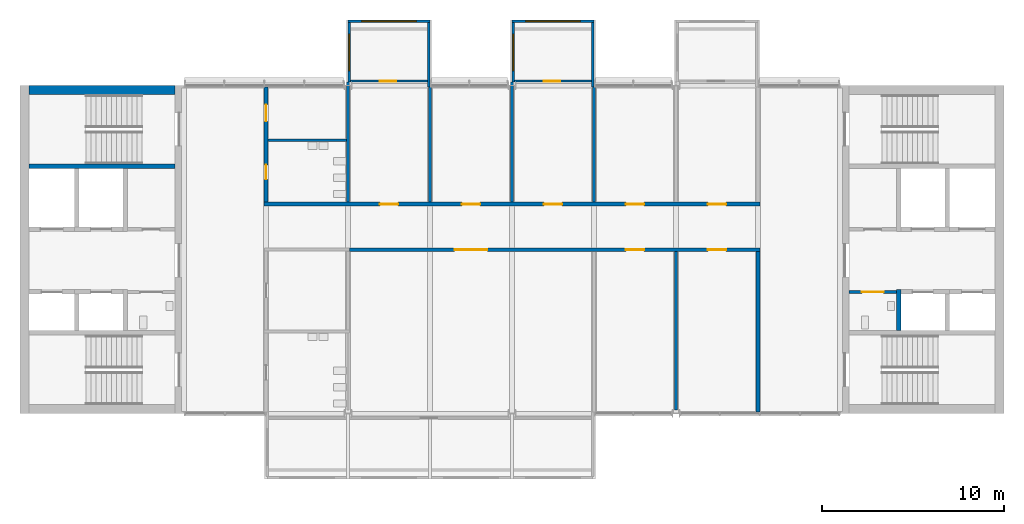
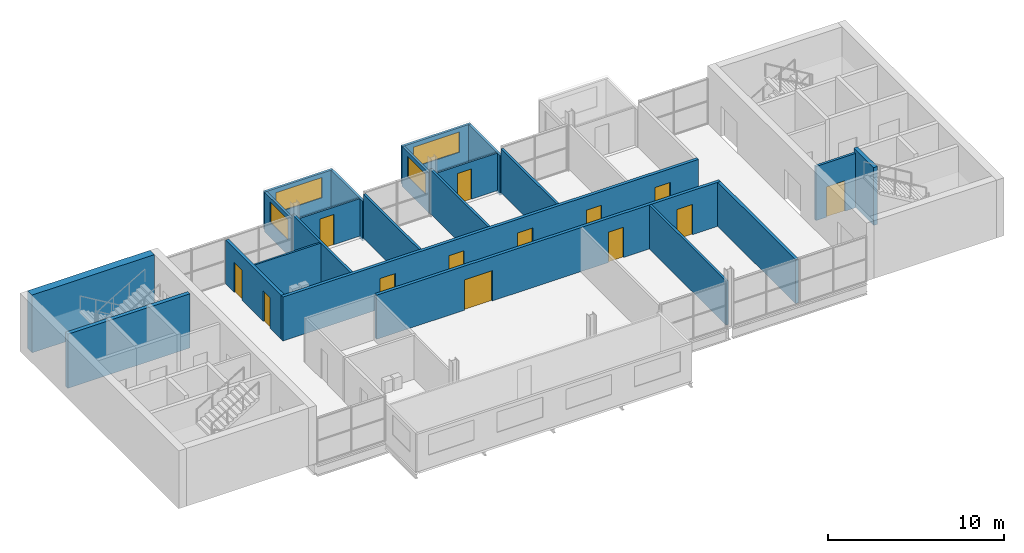
# One storey, part 6 of 11: 22 walls, 13 doors, 4 windows, 17 openings.
"""IFC4 building model written with IfcOpenShell, lengths in metres."""

from ifc_helpers import new_model, si_unit, direction, frame, frame_2d, origin, place, context, subcontext, project, spatial, rectangle, extrude, material, layer, layer_set, type_object, element, fill, save


model = new_model("IFC4")

# Units and contexts
model_context = context("Model", 3, precision=1e-05, world=origin(), true_north=direction((0.0, 1.0)))
body_context = subcontext(model_context, "Body", "Model", "MODEL_VIEW")
ifc_project = project(units=[si_unit("LENGTHUNIT", "METRE"), si_unit("AREAUNIT", "SQUARE_METRE"), si_unit("VOLUMEUNIT", "CUBIC_METRE"), si_unit("PLANEANGLEUNIT", "RADIAN"), si_unit("MASSUNIT", "GRAM", prefix="KILO")], contexts=[model_context])

# Site, building, storey
site_placement = place(None, origin())
site = spatial("IfcSite", under=ifc_project, at=site_placement, CompositionType="ELEMENT")
building_placement = place(site_placement, origin())
building = spatial("IfcBuilding", under=site, at=building_placement, Name="Corbel Yard City Hall", CompositionType="ELEMENT")
storey_placement = place(building_placement, frame((0.0, 0.0, 35.199951171875)))
storey = spatial("IfcBuildingStorey", under=building, at=storey_placement, Name="L08", CompositionType="ELEMENT", Elevation=35.199951171875)

# Walls
ifc_material_1 = material(Name="Concrete N40 (40 MPa)", Category="concrete")
ifc_layer_1 = layer(ifc_material_1, 0.25)
ifc_layer_set_1 = layer_set([ifc_layer_1], Name="Concrete N40 (40 MPa)")
wall_type_1 = type_object("IfcWallType", Name="IW2", PredefinedType="SOLIDWALL", material=ifc_layer_set_1)
wall_1_placement = place(storey_placement, frame((8.5, 112.574951171875, 0.0), z_axis=(0.0, 0.0, 1.0), x_axis=(-1.0, 0.0, 0.0)))
element("IfcWall", 1, at=wall_1_placement, inside=storey, type_object=wall_type_1, Name="Stair enclosure wall", PredefinedType="SOLIDWALL", context=body_context, shape_type="SweptSolid", body=[
    extrude(rectangle(XDim=8.0, YDim=0.25, at=frame_2d((4.0, 0.0))), origin(), (0.0, 0.0, 1.0), 3.75),
])
wall_2_placement = place(storey_placement, frame((48.22509765625, 103.550048828125, 0.0), z_axis=(0.0, 0.0, 1.0), x_axis=(0.0, 1.0, 0.0)))
element("IfcWall", 2, at=wall_2_placement, inside=storey, type_object=wall_type_1, Name="Lift LP25 shaft wall", PredefinedType="SOLIDWALL", context=body_context, shape_type="SweptSolid", body=[
    extrude(rectangle(XDim=2.25, YDim=0.25, at=frame_2d((1.125, 0.0))), origin(), (0.0, 0.0, 1.0), 4.0),
])

# Wall, opening, window
ifc_material_2 = material(Name="Anodised aluminium", Category="aluminium")
ifc_layer_2 = layer(ifc_material_2, 0.02392578125)
ifc_material_3 = material(Name="Steel Grade G550 (550 MPa yield)", Category="steel")
ifc_layer_3 = layer(ifc_material_3, 0.10009765625)
ifc_material_4 = material(Name="Gypsum plasterboard", Category="gypsum")
ifc_layer_4 = layer(ifc_material_4, 0.02587890625)
ifc_layer_set_2 = layer_set([ifc_layer_2, ifc_layer_3, ifc_layer_4], Name="Steel Grade G550 (550 MPa yield)")
wall_type_2 = type_object("IfcWallType", Name="PD1", PredefinedType="SOLIDWALL", material=ifc_layer_set_2)
wall_3_placement = place(storey_placement, frame((18.0, 120.52490234375, 0.0), z_axis=(0.0, 0.0, 1.0), x_axis=(1.0, 0.0, 0.0)))
wall_3 = element("IfcWall", 3, at=wall_3_placement, inside=storey, type_object=wall_type_2, Name="Pod outer wall L08", PredefinedType="SOLIDWALL", context=body_context, shape_type="SweptSolid", body=[
    extrude(rectangle(XDim=4.5, YDim=0.14990234375, at=frame_2d((2.25, 0.0))), origin(), (0.0, 0.0, 1.0), 2.60009765625),
])
opening_1_placement = place(wall_3_placement, frame((0.75, 0.0, 0.89990234375)))
opening_1 = element("IfcOpeningElement", 4, at=opening_1_placement, cuts=wall_3, Name="Opening WN5", PredefinedType="OPENING", context=body_context, shape_type="SweptSolid", body=[
    extrude(rectangle(XDim=3.0, YDim=1.39990234375, at=frame_2d((1.5, 0.699951171875))), frame((0.0, 0.0849609375, 0.0), z_axis=(0.0, -1.0, 0.0), x_axis=(1.0, 0.0, 0.0)), (0.0, 0.0, 1.0), 0.169921875),
])
ifc_material_5 = material(Name="Aluminium frame, double glazed low-e glass", Category="aluminium")
window_type_1 = type_object("IfcWindowType", Name="WN5", PartitioningType="SINGLE_PANEL", PredefinedType="WINDOW", material=ifc_material_5)
window_1_placement = place(opening_1_placement, origin())
window_1 = element("IfcWindow", 5, at=window_1_placement, inside=storey, type_object=window_type_1, Name="Window WN5 L08", OverallHeight=1.39990234375, OverallWidth=3.0, PartitioningType="SINGLE_PANEL", PredefinedType="WINDOW", context=body_context, shape_type="SweptSolid", body=[
    extrude(rectangle(XDim=3.0, YDim=1.39990234375, at=frame_2d((1.5, 0.699951171875))), frame((0.0, 0.030029296875, 0.0), z_axis=(0.0, -1.0, 0.0), x_axis=(1.0, 0.0, 0.0)), (0.0, 0.0, 1.0), 0.06005859375),
])
fill(opening_1, window_1)

wall_4_placement = place(storey_placement, frame((27.0, 120.52490234375, 0.0), z_axis=(0.0, 0.0, 1.0), x_axis=(1.0, 0.0, 0.0)))
wall_4 = element("IfcWall", 6, at=wall_4_placement, inside=storey, type_object=wall_type_2, Name="Pod outer wall L08", PredefinedType="SOLIDWALL", context=body_context, shape_type="SweptSolid", body=[
    extrude(rectangle(XDim=4.5, YDim=0.14990234375, at=frame_2d((2.25, 0.0))), origin(), (0.0, 0.0, 1.0), 2.60009765625),
])
opening_2_placement = place(wall_4_placement, frame((0.75, 0.0, 0.89990234375)))
opening_2 = element("IfcOpeningElement", 7, at=opening_2_placement, cuts=wall_4, Name="Opening WN5", PredefinedType="OPENING", context=body_context, shape_type="SweptSolid", body=[
    extrude(rectangle(XDim=3.0, YDim=1.39990234375, at=frame_2d((1.5, 0.699951171875))), frame((0.0, 0.0849609375, 0.0), z_axis=(0.0, -1.0, 0.0), x_axis=(1.0, 0.0, 0.0)), (0.0, 0.0, 1.0), 0.169921875),
])
window_2_placement = place(opening_2_placement, origin())
window_2 = element("IfcWindow", 8, at=window_2_placement, inside=storey, type_object=window_type_1, Name="Window WN5 L08", OverallHeight=1.39990234375, OverallWidth=3.0, PartitioningType="SINGLE_PANEL", PredefinedType="WINDOW", context=body_context, shape_type="SweptSolid", body=[
    extrude(rectangle(XDim=3.0, YDim=1.39990234375, at=frame_2d((1.5, 0.699951171875))), frame((0.0, 0.030029296875, 0.0), z_axis=(0.0, -1.0, 0.0), x_axis=(1.0, 0.0, 0.0)), (0.0, 0.0, 1.0), 0.06005859375),
])
fill(opening_2, window_2)

# Wall, opening, door
ifc_layer_5 = layer(ifc_material_4, 0.01806640625)
ifc_layer_6 = layer(ifc_material_3, 0.06396484375)
ifc_layer_7 = layer(ifc_material_4, 0.01806640625)
ifc_layer_set_3 = layer_set([ifc_layer_5, ifc_layer_6, ifc_layer_7], Name="Steel Grade G550 (550 MPa yield)")
wall_type_3 = type_object("IfcWallType", Name="PD2", PredefinedType="PARTITIONING", material=ifc_layer_set_3)
wall_5_placement = place(storey_placement, frame((18.14990234375, 117.25, 0.0), z_axis=(0.0, 0.0, 1.0), x_axis=(1.0, 0.0, 0.0)))
wall_5 = element("IfcWall", 9, at=wall_5_placement, inside=storey, type_object=wall_type_3, Name="Pod inner wall L08", PredefinedType="PARTITIONING", context=body_context, shape_type="SweptSolid", body=[
    extrude(rectangle(XDim=4.2001953125, YDim=0.10009765625, at=frame_2d((2.10009765625, 0.0))), origin(), (0.0, 0.0, 1.0), 2.60009765625),
])
opening_3_placement = place(wall_5_placement, frame((1.60009765625, 0.0, 0.0)))
opening_3 = element("IfcOpeningElement", 10, at=opening_3_placement, cuts=wall_5, Name="Opening T2-002", PredefinedType="OPENING", context=body_context, shape_type="SweptSolid", body=[
    extrude(rectangle(XDim=0.89990234375, YDim=2.10009765625, at=frame_2d((0.449951171875, 1.050048828125))), frame((0.0, 0.06005859375, 0.0), z_axis=(0.0, -1.0, 0.0), x_axis=(1.0, 0.0, 0.0)), (0.0, 0.0, 1.0), 0.1201171875),
])
ifc_material_6 = material(Name="Timber, solid core", Category="wood")
door_type_1 = type_object("IfcDoorType", Name="XD6", OperationType="SINGLE_SWING_LEFT", PredefinedType="DOOR", material=ifc_material_6)
door_1_placement = place(opening_3_placement, origin())
door_1 = element("IfcDoor", 11, at=door_1_placement, inside=storey, type_object=door_type_1, Name="Pod door L08", OperationType="SINGLE_SWING_LEFT", OverallHeight=2.10009765625, OverallWidth=0.89990234375, PredefinedType="DOOR", context=body_context, shape_type="SweptSolid", body=[
    extrude(rectangle(XDim=0.89990234375, YDim=2.10009765625, at=frame_2d((0.449951171875, 1.050048828125))), frame((0.0, 0.02490234375, 0.0), z_axis=(0.0, -1.0, 0.0), x_axis=(1.0, 0.0, 0.0)), (0.0, 0.0, 1.0), 0.050048828125),
])
fill(opening_3, door_1)

wall_6_placement = place(storey_placement, frame((27.14990234375, 117.25, 0.0), z_axis=(0.0, 0.0, 1.0), x_axis=(1.0, 0.0, 0.0)))
wall_6 = element("IfcWall", 12, at=wall_6_placement, inside=storey, type_object=wall_type_3, Name="Pod inner wall L08", PredefinedType="PARTITIONING", context=body_context, shape_type="SweptSolid", body=[
    extrude(rectangle(XDim=4.2001953125, YDim=0.10009765625, at=frame_2d((2.10009765625, 0.0))), origin(), (0.0, 0.0, 1.0), 2.60009765625),
])
opening_4_placement = place(wall_6_placement, frame((1.60009765625, 0.0, 0.0)))
opening_4 = element("IfcOpeningElement", 13, at=opening_4_placement, cuts=wall_6, Name="Opening T2-003", PredefinedType="OPENING", context=body_context, shape_type="SweptSolid", body=[
    extrude(rectangle(XDim=0.89990234375, YDim=2.10009765625, at=frame_2d((0.449951171875, 1.050048828125))), frame((0.0, 0.06005859375, 0.0), z_axis=(0.0, -1.0, 0.0), x_axis=(1.0, 0.0, 0.0)), (0.0, 0.0, 1.0), 0.1201171875),
])
door_2_placement = place(opening_4_placement, origin())
door_2 = element("IfcDoor", 14, at=door_2_placement, inside=storey, type_object=door_type_1, Name="Pod door L08", OperationType="SINGLE_SWING_LEFT", OverallHeight=2.10009765625, OverallWidth=0.89990234375, PredefinedType="DOOR", context=body_context, shape_type="SweptSolid", body=[
    extrude(rectangle(XDim=0.89990234375, YDim=2.10009765625, at=frame_2d((0.449951171875, 1.050048828125))), frame((0.0, 0.02490234375, 0.0), z_axis=(0.0, -1.0, 0.0), x_axis=(1.0, 0.0, 0.0)), (0.0, 0.0, 1.0), 0.050048828125),
])
fill(opening_4, door_2)

# Wall, opening, window
ifc_layer_8 = layer(ifc_material_2, 0.02392578125)
ifc_layer_9 = layer(ifc_material_3, 0.10009765625)
ifc_layer_10 = layer(ifc_material_4, 0.02587890625)
ifc_layer_set_4 = layer_set([ifc_layer_8, ifc_layer_9, ifc_layer_10], Name="Steel Grade G550 (550 MPa yield)")
wall_type_4 = type_object("IfcWallType", Name="PD3", PredefinedType="SOLIDWALL", material=ifc_layer_set_4)
wall_7_placement = place(storey_placement, frame((18.074951171875, 120.449951171875, -0.14990234375), z_axis=(0.0, 0.0, 1.0), x_axis=(0.0, -1.0, 0.0)))
wall_7 = element("IfcWall", 15, at=wall_7_placement, inside=storey, type_object=wall_type_4, Name="Pod side wall L08", PredefinedType="SOLIDWALL", context=body_context, shape_type="SweptSolid", body=[
    extrude(rectangle(XDim=3.25, YDim=0.14990234375, at=frame_2d((1.625, 0.0))), origin(), (0.0, 0.0, 1.0), 2.75),
])
opening_5_placement = place(wall_7_placement, frame((0.625, 0.0, 1.050048828125)))
opening_5 = element("IfcOpeningElement", 16, at=opening_5_placement, cuts=wall_7, Name="Opening WN6", PredefinedType="OPENING", context=body_context, shape_type="SweptSolid", body=[
    extrude(rectangle(XDim=2.0, YDim=1.39990234375, at=frame_2d((1.0, 0.699951171875))), frame((0.0, 0.0849609375, 0.0), z_axis=(0.0, -1.0, 0.0), x_axis=(1.0, 0.0, 0.0)), (0.0, 0.0, 1.0), 0.169921875),
])
window_type_2 = type_object("IfcWindowType", Name="WN6", PartitioningType="SINGLE_PANEL", PredefinedType="WINDOW", material=ifc_material_5)
window_3_placement = place(opening_5_placement, origin())
window_3 = element("IfcWindow", 17, at=window_3_placement, inside=storey, type_object=window_type_2, Name="Window WN6 L08", OverallHeight=1.39990234375, OverallWidth=2.0, PartitioningType="SINGLE_PANEL", PredefinedType="WINDOW", context=body_context, shape_type="SweptSolid", body=[
    extrude(rectangle(XDim=2.0, YDim=1.39990234375, at=frame_2d((1.0, 0.699951171875))), frame((0.0, 0.030029296875, 0.0), z_axis=(0.0, -1.0, 0.0), x_axis=(1.0, 0.0, 0.0)), (0.0, 0.0, 1.0), 0.06005859375),
])
fill(opening_5, window_3)

# Wall
wall_8_placement = place(storey_placement, frame((22.425048828125, 120.449951171875, -0.14990234375), z_axis=(0.0, 0.0, 1.0), x_axis=(0.0, -1.0, 0.0)))
element("IfcWall", 18, at=wall_8_placement, inside=storey, type_object=wall_type_4, Name="Pod side wall L08", PredefinedType="SOLIDWALL", context=body_context, shape_type="SweptSolid", body=[
    extrude(rectangle(XDim=3.5400390625, YDim=0.14990234375, at=frame_2d((1.77001953125, 0.0))), origin(), (0.0, 0.0, 1.0), 2.75),
])

# Wall, opening, window
wall_9_placement = place(storey_placement, frame((27.074951171875, 120.449951171875, -0.14990234375), z_axis=(0.0, 0.0, 1.0), x_axis=(0.0, -1.0, 0.0)))
wall_9 = element("IfcWall", 19, at=wall_9_placement, inside=storey, type_object=wall_type_4, Name="Pod side wall L08", PredefinedType="SOLIDWALL", context=body_context, shape_type="SweptSolid", body=[
    extrude(rectangle(XDim=3.25, YDim=0.14990234375, at=frame_2d((1.625, 0.0))), origin(), (0.0, 0.0, 1.0), 2.75),
])
opening_6_placement = place(wall_9_placement, frame((0.625, 0.0, 1.050048828125)))
opening_6 = element("IfcOpeningElement", 20, at=opening_6_placement, cuts=wall_9, Name="Opening WN6", PredefinedType="OPENING", context=body_context, shape_type="SweptSolid", body=[
    extrude(rectangle(XDim=2.0, YDim=1.39990234375, at=frame_2d((1.0, 0.699951171875))), frame((0.0, 0.0849609375, 0.0), z_axis=(0.0, -1.0, 0.0), x_axis=(1.0, 0.0, 0.0)), (0.0, 0.0, 1.0), 0.169921875),
])
window_4_placement = place(opening_6_placement, origin())
window_4 = element("IfcWindow", 21, at=window_4_placement, inside=storey, type_object=window_type_2, Name="Window WN6 L08", OverallHeight=1.39990234375, OverallWidth=2.0, PartitioningType="SINGLE_PANEL", PredefinedType="WINDOW", context=body_context, shape_type="SweptSolid", body=[
    extrude(rectangle(XDim=2.0, YDim=1.39990234375, at=frame_2d((1.0, 0.699951171875))), frame((0.0, 0.030029296875, 0.0), z_axis=(0.0, -1.0, 0.0), x_axis=(1.0, 0.0, 0.0)), (0.0, 0.0, 1.0), 0.06005859375),
])
fill(opening_6, window_4)

# Walls
wall_10_placement = place(storey_placement, frame((31.425048828125, 120.449951171875, -0.14990234375), z_axis=(0.0, 0.0, 1.0), x_axis=(0.0, -1.0, 0.0)))
element("IfcWall", 22, at=wall_10_placement, inside=storey, type_object=wall_type_4, Name="Pod side wall L08", PredefinedType="SOLIDWALL", context=body_context, shape_type="SweptSolid", body=[
    extrude(rectangle(XDim=3.5400390625, YDim=0.14990234375, at=frame_2d((1.77001953125, 0.0))), origin(), (0.0, 0.0, 1.0), 2.75),
])
ifc_layer_11 = layer(ifc_material_4, 0.028076171875)
ifc_layer_12 = layer(ifc_material_3, 0.06396484375)
ifc_layer_13 = layer(ifc_material_4, 0.028076171875)
ifc_layer_set_5 = layer_set([ifc_layer_11, ifc_layer_12, ifc_layer_13], Name="Steel Grade G550 (550 MPa yield)")
wall_type_5 = type_object("IfcWallType", Name="PT1", PredefinedType="PARTITIONING", material=ifc_layer_set_5)
wall_11_placement = place(storey_placement, frame((13.60009765625, 114.0, 0.0), z_axis=(0.0, 0.0, 1.0), x_axis=(1.0, 0.0, 0.0)))
element("IfcWall", 23, at=wall_11_placement, inside=storey, type_object=wall_type_5, Name="Partition", PredefinedType="PARTITIONING", context=body_context, shape_type="SweptSolid", body=[
    extrude(rectangle(XDim=4.324951171875, YDim=0.1201171875, at=frame_2d((2.16259765625, 0.0))), origin(), (0.0, 0.0, 1.0), 3.050048828125),
])

# Wall, openings, doors
ifc_layer_14 = layer(ifc_material_4, 0.031982421875)
ifc_layer_15 = layer(ifc_material_3, 0.135986328125)
ifc_layer_16 = layer(ifc_material_4, 0.031982421875)
ifc_layer_set_6 = layer_set([ifc_layer_14, ifc_layer_15, ifc_layer_16], Name="Steel Grade G550 (550 MPa yield)")
wall_type_6 = type_object("IfcWallType", Name="PT2", PredefinedType="PARTITIONING", material=ifc_layer_set_6)
wall_12_placement = place(storey_placement, frame((18.080078125, 108.0, 0.0), z_axis=(0.0, 0.0, 1.0), x_axis=(1.0, 0.0, 0.0)))
wall_12 = element("IfcWall", 24, at=wall_12_placement, inside=storey, type_object=wall_type_6, Name="Acoustic wall", PredefinedType="PARTITIONING", context=body_context, shape_type="SweptSolid", body=[
    extrude(rectangle(XDim=22.52001953125, YDim=0.199951171875, at=frame_2d((11.260009765625, 0.0))), origin(), (0.0, 0.0, 1.0), 3.050048828125),
])
opening_7_placement = place(wall_12_placement, frame((5.77001953125, 0.0, 0.0)))
opening_7 = element("IfcOpeningElement", 25, at=opening_7_placement, cuts=wall_12, Name="Opening T2-015", PredefinedType="OPENING", context=body_context, shape_type="SweptSolid", body=[
    extrude(rectangle(XDim=1.800048828125, YDim=2.10009765625, at=frame_2d((0.89990234375, 1.050048828125))), frame((0.0, 0.10986328125, 0.0), z_axis=(0.0, -1.0, 0.0), x_axis=(1.0, 0.0, 0.0)), (0.0, 0.0, 1.0), 0.219970703125),
])
opening_8_placement = place(wall_12_placement, frame((15.169921875, 0.0, 0.0)))
opening_8 = element("IfcOpeningElement", 26, at=opening_8_placement, cuts=wall_12, Name="Opening T2-016", PredefinedType="OPENING", context=body_context, shape_type="SweptSolid", body=[
    extrude(rectangle(XDim=1.0, YDim=2.10009765625, at=frame_2d((0.5, 1.050048828125))), frame((0.0, 0.10986328125, 0.0), z_axis=(0.0, -1.0, 0.0), x_axis=(1.0, 0.0, 0.0)), (0.0, 0.0, 1.0), 0.219970703125),
])
opening_9_placement = place(wall_12_placement, frame((19.669921875, 0.0, 0.0)))
opening_9 = element("IfcOpeningElement", 27, at=opening_9_placement, cuts=wall_12, Name="Opening T2-017", PredefinedType="OPENING", context=body_context, shape_type="SweptSolid", body=[
    extrude(rectangle(XDim=1.0, YDim=2.10009765625, at=frame_2d((0.5, 1.050048828125))), frame((0.0, 0.10986328125, 0.0), z_axis=(0.0, -1.0, 0.0), x_axis=(1.0, 0.0, 0.0)), (0.0, 0.0, 1.0), 0.219970703125),
])
ifc_material_7 = material(Name="Timber", Category="wood")
door_type_2 = type_object("IfcDoorType", Name="D1", OperationType="SINGLE_SWING_LEFT", PredefinedType="DOOR", material=ifc_material_7)
door_3_placement = place(opening_8_placement, frame((1.0, 0.0, 0.0), z_axis=(0.0, 0.0, 1.0), x_axis=(-1.0, 0.0, 0.0)))
door_3 = element("IfcDoor", 28, at=door_3_placement, inside=storey, type_object=door_type_2, Name="Door Councillors' Suite 0807", OperationType="SINGLE_SWING_RIGHT", OverallHeight=2.10009765625, OverallWidth=1.0, PredefinedType="DOOR", context=body_context, shape_type="SweptSolid", body=[
    extrude(rectangle(XDim=1.0, YDim=2.10009765625, at=frame_2d((0.5, 1.050048828125))), frame((0.0, 0.02490234375, 0.0), z_axis=(0.0, -1.0, 0.0), x_axis=(1.0, 0.0, 0.0)), (0.0, 0.0, 1.0), 0.050048828125),
])
fill(opening_8, door_3)
door_4_placement = place(opening_9_placement, frame((1.0, 0.0, 0.0), z_axis=(0.0, 0.0, 1.0), x_axis=(-1.0, 0.0, 0.0)))
door_4 = element("IfcDoor", 29, at=door_4_placement, inside=storey, type_object=door_type_2, Name="Door Councillors' Suite 0808", OperationType="SINGLE_SWING_RIGHT", OverallHeight=2.10009765625, OverallWidth=1.0, PredefinedType="DOOR", context=body_context, shape_type="SweptSolid", body=[
    extrude(rectangle(XDim=1.0, YDim=2.10009765625, at=frame_2d((0.5, 1.050048828125))), frame((0.0, 0.02490234375, 0.0), z_axis=(0.0, -1.0, 0.0), x_axis=(1.0, 0.0, 0.0)), (0.0, 0.0, 1.0), 0.050048828125),
])
fill(opening_9, door_4)
door_type_3 = type_object("IfcDoorType", Name="D3", OperationType="DOUBLE_DOOR_SINGLE_SWING", PredefinedType="DOOR", material=ifc_material_7)
door_5_placement = place(opening_7_placement, origin())
door_5 = element("IfcDoor", 30, at=door_5_placement, inside=storey, type_object=door_type_3, Name="Door Councillors' Group Room 0806", OperationType="DOUBLE_DOOR_SINGLE_SWING", OverallHeight=2.10009765625, OverallWidth=1.800048828125, PredefinedType="DOOR", context=body_context, shape_type="SweptSolid", body=[
    extrude(rectangle(XDim=1.800048828125, YDim=2.10009765625, at=frame_2d((0.89990234375, 1.050048828125))), frame((0.0, 0.02490234375, 0.0), z_axis=(0.0, -1.0, 0.0), x_axis=(1.0, 0.0, 0.0)), (0.0, 0.0, 1.0), 0.050048828125),
])
fill(opening_7, door_5)

wall_13_placement = place(storey_placement, frame((13.39990234375, 110.5, 0.0), z_axis=(0.0, 0.0, 1.0), x_axis=(1.0, 0.0, 0.0)))
wall_13 = element("IfcWall", 31, at=wall_13_placement, inside=storey, type_object=wall_type_6, Name="Acoustic wall", PredefinedType="PARTITIONING", context=body_context, shape_type="SweptSolid", body=[
    extrude(rectangle(XDim=27.2001953125, YDim=0.199951171875, at=frame_2d((13.60009765625, 0.0))), origin(), (0.0, 0.0, 1.0), 3.050048828125),
])
opening_10_placement = place(wall_13_placement, frame((6.35009765625, 0.0, 0.0)))
opening_10 = element("IfcOpeningElement", 32, at=opening_10_placement, cuts=wall_13, Name="Opening T2-020", PredefinedType="OPENING", context=body_context, shape_type="SweptSolid", body=[
    extrude(rectangle(XDim=1.0, YDim=2.10009765625, at=frame_2d((0.5, 1.050048828125))), frame((0.0, 0.10986328125, 0.0), z_axis=(0.0, -1.0, 0.0), x_axis=(1.0, 0.0, 0.0)), (0.0, 0.0, 1.0), 0.219970703125),
])
opening_11_placement = place(wall_13_placement, frame((10.85009765625, 0.0, 0.0)))
opening_11 = element("IfcOpeningElement", 33, at=opening_11_placement, cuts=wall_13, Name="Opening T2-021", PredefinedType="OPENING", context=body_context, shape_type="SweptSolid", body=[
    extrude(rectangle(XDim=1.0, YDim=2.10009765625, at=frame_2d((0.5, 1.050048828125))), frame((0.0, 0.10986328125, 0.0), z_axis=(0.0, -1.0, 0.0), x_axis=(1.0, 0.0, 0.0)), (0.0, 0.0, 1.0), 0.219970703125),
])
opening_12_placement = place(wall_13_placement, frame((15.35009765625, 0.0, 0.0)))
opening_12 = element("IfcOpeningElement", 34, at=opening_12_placement, cuts=wall_13, Name="Opening T2-022", PredefinedType="OPENING", context=body_context, shape_type="SweptSolid", body=[
    extrude(rectangle(XDim=1.0, YDim=2.10009765625, at=frame_2d((0.5, 1.050048828125))), frame((0.0, 0.10986328125, 0.0), z_axis=(0.0, -1.0, 0.0), x_axis=(1.0, 0.0, 0.0)), (0.0, 0.0, 1.0), 0.219970703125),
])
opening_13_placement = place(wall_13_placement, frame((19.85009765625, 0.0, 0.0)))
opening_13 = element("IfcOpeningElement", 35, at=opening_13_placement, cuts=wall_13, Name="Opening T2-023", PredefinedType="OPENING", context=body_context, shape_type="SweptSolid", body=[
    extrude(rectangle(XDim=1.0, YDim=2.10009765625, at=frame_2d((0.5, 1.050048828125))), frame((0.0, 0.10986328125, 0.0), z_axis=(0.0, -1.0, 0.0), x_axis=(1.0, 0.0, 0.0)), (0.0, 0.0, 1.0), 0.219970703125),
])
opening_14_placement = place(wall_13_placement, frame((24.35009765625, 0.0, 0.0)))
opening_14 = element("IfcOpeningElement", 36, at=opening_14_placement, cuts=wall_13, Name="Opening T2-024", PredefinedType="OPENING", context=body_context, shape_type="SweptSolid", body=[
    extrude(rectangle(XDim=1.0, YDim=2.10009765625, at=frame_2d((0.5, 1.050048828125))), frame((0.0, 0.10986328125, 0.0), z_axis=(0.0, -1.0, 0.0), x_axis=(1.0, 0.0, 0.0)), (0.0, 0.0, 1.0), 0.219970703125),
])
door_6_placement = place(opening_10_placement, origin())
door_6 = element("IfcDoor", 37, at=door_6_placement, inside=storey, type_object=door_type_2, Name="Door Councillors' Suite 0811", OperationType="SINGLE_SWING_LEFT", OverallHeight=2.10009765625, OverallWidth=1.0, PredefinedType="DOOR", context=body_context, shape_type="SweptSolid", body=[
    extrude(rectangle(XDim=1.0, YDim=2.10009765625, at=frame_2d((0.5, 1.050048828125))), frame((0.0, 0.02490234375, 0.0), z_axis=(0.0, -1.0, 0.0), x_axis=(1.0, 0.0, 0.0)), (0.0, 0.0, 1.0), 0.050048828125),
])
fill(opening_10, door_6)
door_7_placement = place(opening_11_placement, origin())
door_7 = element("IfcDoor", 38, at=door_7_placement, inside=storey, type_object=door_type_2, Name="Door Councillors' Suite 0812", OperationType="SINGLE_SWING_LEFT", OverallHeight=2.10009765625, OverallWidth=1.0, PredefinedType="DOOR", context=body_context, shape_type="SweptSolid", body=[
    extrude(rectangle(XDim=1.0, YDim=2.10009765625, at=frame_2d((0.5, 1.050048828125))), frame((0.0, 0.02490234375, 0.0), z_axis=(0.0, -1.0, 0.0), x_axis=(1.0, 0.0, 0.0)), (0.0, 0.0, 1.0), 0.050048828125),
])
fill(opening_11, door_7)
door_8_placement = place(opening_12_placement, origin())
door_8 = element("IfcDoor", 39, at=door_8_placement, inside=storey, type_object=door_type_2, Name="Door Councillors' Suite 0813", OperationType="SINGLE_SWING_LEFT", OverallHeight=2.10009765625, OverallWidth=1.0, PredefinedType="DOOR", context=body_context, shape_type="SweptSolid", body=[
    extrude(rectangle(XDim=1.0, YDim=2.10009765625, at=frame_2d((0.5, 1.050048828125))), frame((0.0, 0.02490234375, 0.0), z_axis=(0.0, -1.0, 0.0), x_axis=(1.0, 0.0, 0.0)), (0.0, 0.0, 1.0), 0.050048828125),
])
fill(opening_12, door_8)
door_9_placement = place(opening_13_placement, origin())
door_9 = element("IfcDoor", 40, at=door_9_placement, inside=storey, type_object=door_type_2, Name="Door Councillors' Suite 0814", OperationType="SINGLE_SWING_LEFT", OverallHeight=2.10009765625, OverallWidth=1.0, PredefinedType="DOOR", context=body_context, shape_type="SweptSolid", body=[
    extrude(rectangle(XDim=1.0, YDim=2.10009765625, at=frame_2d((0.5, 1.050048828125))), frame((0.0, 0.02490234375, 0.0), z_axis=(0.0, -1.0, 0.0), x_axis=(1.0, 0.0, 0.0)), (0.0, 0.0, 1.0), 0.050048828125),
])
fill(opening_13, door_9)
door_10_placement = place(opening_14_placement, origin())
door_10 = element("IfcDoor", 41, at=door_10_placement, inside=storey, type_object=door_type_2, Name="Door Councillors' Suite 0815", OperationType="SINGLE_SWING_LEFT", OverallHeight=2.10009765625, OverallWidth=1.0, PredefinedType="DOOR", context=body_context, shape_type="SweptSolid", body=[
    extrude(rectangle(XDim=1.0, YDim=2.10009765625, at=frame_2d((0.5, 1.050048828125))), frame((0.0, 0.02490234375, 0.0), z_axis=(0.0, -1.0, 0.0), x_axis=(1.0, 0.0, 0.0)), (0.0, 0.0, 1.0), 0.050048828125),
])
fill(opening_14, door_10)

wall_14_placement = place(storey_placement, frame((13.5, 110.60009765625, 0.0), z_axis=(0.0, 0.0, 1.0), x_axis=(0.0, 1.0, 0.0)))
wall_14 = element("IfcWall", 42, at=wall_14_placement, inside=storey, type_object=wall_type_6, Name="Acoustic wall", PredefinedType="PARTITIONING", context=body_context, shape_type="SweptSolid", body=[
    extrude(rectangle(XDim=6.309814453125, YDim=0.199951171875, at=frame_2d((3.15478515625, 0.0))), origin(), (0.0, 0.0, 1.0), 3.050048828125),
])
opening_15_placement = place(wall_14_placement, frame((1.25, 0.0, 0.0)))
opening_15 = element("IfcOpeningElement", 43, at=opening_15_placement, cuts=wall_14, Name="Opening T2-018", PredefinedType="OPENING", context=body_context, shape_type="SweptSolid", body=[
    extrude(rectangle(XDim=0.800048828125, YDim=2.10009765625, at=frame_2d((0.39990234375, 1.050048828125))), frame((0.0, 0.10986328125, 0.0), z_axis=(0.0, -1.0, 0.0), x_axis=(1.0, 0.0, 0.0)), (0.0, 0.0, 1.0), 0.219970703125),
])
opening_16_placement = place(wall_14_placement, frame((4.43994140625, 0.0, 0.0)))
opening_16 = element("IfcOpeningElement", 44, at=opening_16_placement, cuts=wall_14, Name="Opening T2-019", PredefinedType="OPENING", context=body_context, shape_type="SweptSolid", body=[
    extrude(rectangle(XDim=0.919921875, YDim=2.10009765625, at=frame_2d((0.4599609375, 1.050048828125))), frame((0.0, 0.10986328125, 0.0), z_axis=(0.0, -1.0, 0.0), x_axis=(1.0, 0.0, 0.0)), (0.0, 0.0, 1.0), 0.219970703125),
])
door_type_4 = type_object("IfcDoorType", Name="D4", OperationType="SINGLE_SWING_LEFT", PredefinedType="DOOR", material=ifc_material_7)
door_11_placement = place(opening_16_placement, frame((0.919921875, 0.0, 0.0), z_axis=(0.0, 0.0, 1.0), x_axis=(-1.0, 0.0, 0.0)))
door_11 = element("IfcDoor", 45, at=door_11_placement, inside=storey, type_object=door_type_4, Name="Door Pantry 0810", OperationType="SINGLE_SWING_RIGHT", OverallHeight=2.10009765625, OverallWidth=0.919921875, PredefinedType="DOOR", context=body_context, shape_type="SweptSolid", body=[
    extrude(rectangle(XDim=0.919921875, YDim=2.10009765625, at=frame_2d((0.4599609375, 1.050048828125))), frame((0.0, 0.02490234375, 0.0), z_axis=(0.0, -1.0, 0.0), x_axis=(1.0, 0.0, 0.0)), (0.0, 0.0, 1.0), 0.050048828125),
])
fill(opening_16, door_11)
door_type_5 = type_object("IfcDoorType", Name="D44", OperationType="SINGLE_SWING_LEFT", PredefinedType="DOOR", material=ifc_material_7)
door_12_placement = place(opening_15_placement, frame((0.800048828125, 0.0, 0.0), z_axis=(0.0, 0.0, 1.0), x_axis=(-1.0, 0.0, 0.0)))
door_12 = element("IfcDoor", 46, at=door_12_placement, inside=storey, type_object=door_type_5, Name="Door Men's WC 0809", OperationType="SINGLE_SWING_RIGHT", OverallHeight=2.10009765625, OverallWidth=0.800048828125, PredefinedType="DOOR", context=body_context, shape_type="SweptSolid", body=[
    extrude(rectangle(XDim=0.800048828125, YDim=2.10009765625, at=frame_2d((0.39990234375, 1.050048828125))), frame((0.0, 0.02490234375, 0.0), z_axis=(0.0, -1.0, 0.0), x_axis=(1.0, 0.0, 0.0)), (0.0, 0.0, 1.0), 0.050048828125),
])
fill(opening_15, door_12)

# Wall
wall_15_placement = place(storey_placement, frame((40.5, 99.074951171875, 0.0), z_axis=(0.0, 0.0, 1.0), x_axis=(0.0, 1.0, 0.0)))
element("IfcWall", 47, at=wall_15_placement, inside=storey, type_object=wall_type_6, Name="Acoustic wall", PredefinedType="PARTITIONING", context=body_context, shape_type="SweptSolid", body=[
    extrude(rectangle(XDim=8.824951171875, YDim=0.199951171875, at=frame_2d((4.41259765625, 0.0))), origin(), (0.0, 0.0, 1.0), 3.050048828125),
])

# Wall, opening, door
ifc_layer_17 = layer(ifc_material_4, 0.031982421875)
ifc_layer_18 = layer(ifc_material_3, 0.095947265625)
ifc_layer_19 = layer(ifc_material_4, 0.031982421875)
ifc_layer_set_7 = layer_set([ifc_layer_17, ifc_layer_18, ifc_layer_19], Name="Steel Grade G550 (550 MPa yield)")
wall_type_7 = type_object("IfcWallType", Name="PT3", PredefinedType="PARTITIONING", material=ifc_layer_set_7)
wall_16_placement = place(storey_placement, frame((45.5, 105.675048828125, 0.0), z_axis=(0.0, 0.0, 1.0), x_axis=(1.0, 0.0, 0.0)))
wall_16 = element("IfcWall", 48, at=wall_16_placement, inside=storey, type_object=wall_type_7, Name="Accessible WC wall", PredefinedType="PARTITIONING", context=body_context, shape_type="SweptSolid", body=[
    extrude(rectangle(XDim=2.60009765625, YDim=0.159912109375, at=frame_2d((1.300048828125, 0.0))), origin(), (0.0, 0.0, 1.0), 3.75),
])
opening_17_placement = place(wall_16_placement, frame((0.699951171875, 0.0, 0.0)))
opening_17 = element("IfcOpeningElement", 49, at=opening_17_placement, cuts=wall_16, Name="Opening T2-033", PredefinedType="OPENING", context=body_context, shape_type="SweptSolid", body=[
    extrude(rectangle(XDim=1.199951171875, YDim=2.10009765625, at=frame_2d((0.60009765625, 1.050048828125))), frame((0.0, 0.08984375, 0.0), z_axis=(0.0, -1.0, 0.0), x_axis=(1.0, 0.0, 0.0)), (0.0, 0.0, 1.0), 0.179931640625),
])
ifc_material_8 = material(Name="Steel Grade G250", Category="steel")
door_type_6 = type_object("IfcDoorType", Name="FD7", OperationType="SINGLE_SWING_LEFT", PredefinedType="DOOR", material=ifc_material_8)
door_13_placement = place(opening_17_placement, frame((1.199951171875, 0.0, 0.0), z_axis=(0.0, 0.0, 1.0), x_axis=(-1.0, 0.0, 0.0)))
door_13 = element("IfcDoor", 50, at=door_13_placement, inside=storey, type_object=door_type_6, Name="Door accessible WC East", OperationType="SINGLE_SWING_RIGHT", OverallHeight=2.10009765625, OverallWidth=1.199951171875, PredefinedType="DOOR", context=body_context, shape_type="SweptSolid", body=[
    extrude(rectangle(XDim=1.199951171875, YDim=2.10009765625, at=frame_2d((0.60009765625, 1.050048828125))), frame((0.0, 0.02490234375, 0.0), z_axis=(0.0, -1.0, 0.0), x_axis=(1.0, 0.0, 0.0)), (0.0, 0.0, 1.0), 0.050048828125),
])
fill(opening_17, door_13)

# Walls
ifc_layer_20 = layer(ifc_material_4, 0.031982421875)
ifc_layer_21 = layer(ifc_material_3, 0.0859375)
ifc_layer_22 = layer(ifc_material_4, 0.031982421875)
ifc_layer_set_8 = layer_set([ifc_layer_20, ifc_layer_21, ifc_layer_22], Name="Steel Grade G550 (550 MPa yield)")
wall_type_8 = type_object("IfcWallType", Name="PT7", PredefinedType="PARTITIONING", material=ifc_layer_set_8)
wall_17_placement = place(storey_placement, frame((18.0, 110.60009765625, 0.0), z_axis=(0.0, 0.0, 1.0), x_axis=(0.0, 1.0, 0.0)))
element("IfcWall", 51, at=wall_17_placement, inside=storey, type_object=wall_type_8, Name="Suite partition", PredefinedType="PARTITIONING", context=body_context, shape_type="SweptSolid", body=[
    extrude(rectangle(XDim=6.599853515625, YDim=0.14990234375, at=frame_2d((3.2998046875, 0.0))), origin(), (0.0, 0.0, 1.0), 3.050048828125),
])
wall_18_placement = place(storey_placement, frame((22.5, 110.60009765625, 0.0), z_axis=(0.0, 0.0, 1.0), x_axis=(0.0, 1.0, 0.0)))
element("IfcWall", 52, at=wall_18_placement, inside=storey, type_object=wall_type_8, Name="Suite partition", PredefinedType="PARTITIONING", context=body_context, shape_type="SweptSolid", body=[
    extrude(rectangle(XDim=6.309814453125, YDim=0.14990234375, at=frame_2d((3.15478515625, 0.0))), origin(), (0.0, 0.0, 1.0), 3.050048828125),
])
wall_19_placement = place(storey_placement, frame((27.0, 110.60009765625, 0.0), z_axis=(0.0, 0.0, 1.0), x_axis=(0.0, 1.0, 0.0)))
element("IfcWall", 53, at=wall_19_placement, inside=storey, type_object=wall_type_8, Name="Suite partition", PredefinedType="PARTITIONING", context=body_context, shape_type="SweptSolid", body=[
    extrude(rectangle(XDim=6.599853515625, YDim=0.14990234375, at=frame_2d((3.2998046875, 0.0))), origin(), (0.0, 0.0, 1.0), 3.050048828125),
])
wall_20_placement = place(storey_placement, frame((31.5, 110.60009765625, 0.0), z_axis=(0.0, 0.0, 1.0), x_axis=(0.0, 1.0, 0.0)))
element("IfcWall", 54, at=wall_20_placement, inside=storey, type_object=wall_type_8, Name="Suite partition", PredefinedType="PARTITIONING", context=body_context, shape_type="SweptSolid", body=[
    extrude(rectangle(XDim=6.309814453125, YDim=0.14990234375, at=frame_2d((3.15478515625, 0.0))), origin(), (0.0, 0.0, 1.0), 3.050048828125),
])
wall_21_placement = place(storey_placement, frame((36.0, 99.20703125, 0.0), z_axis=(0.0, 0.0, 1.0), x_axis=(0.0, 1.0, 0.0)))
element("IfcWall", 55, at=wall_21_placement, inside=storey, type_object=wall_type_8, Name="Suite partition", PredefinedType="PARTITIONING", context=body_context, shape_type="SweptSolid", body=[
    extrude(rectangle(XDim=8.69287109375, YDim=0.14990234375, at=frame_2d((4.346435546875, 0.0))), origin(), (0.0, 0.0, 1.0), 3.050048828125),
])
ifc_material_9 = material(Name="Concrete N50 (50 MPa)", Category="concrete")
ifc_layer_23 = layer(ifc_material_9, 0.5)
ifc_layer_set_9 = layer_set([ifc_layer_23], Name="Concrete N50 (50 MPa)")
wall_type_9 = type_object("IfcWallType", Name="Trunk wall 500", PredefinedType="SHEAR", material=ifc_layer_set_9)
wall_22_placement = place(storey_placement, frame((0.5, 116.75, 0.0), z_axis=(0.0, 0.0, 1.0), x_axis=(1.0, 0.0, 0.0)))
element("IfcWall", 56, at=wall_22_placement, inside=storey, type_object=wall_type_9, Name="Trunk W north wall", PredefinedType="SHEAR", context=body_context, shape_type="SweptSolid", body=[
    extrude(rectangle(XDim=8.0, YDim=0.5, at=frame_2d((4.0, 0.0))), origin(), (0.0, 0.0, 1.0), 4.0),
])

save(model, "model.ifc")
